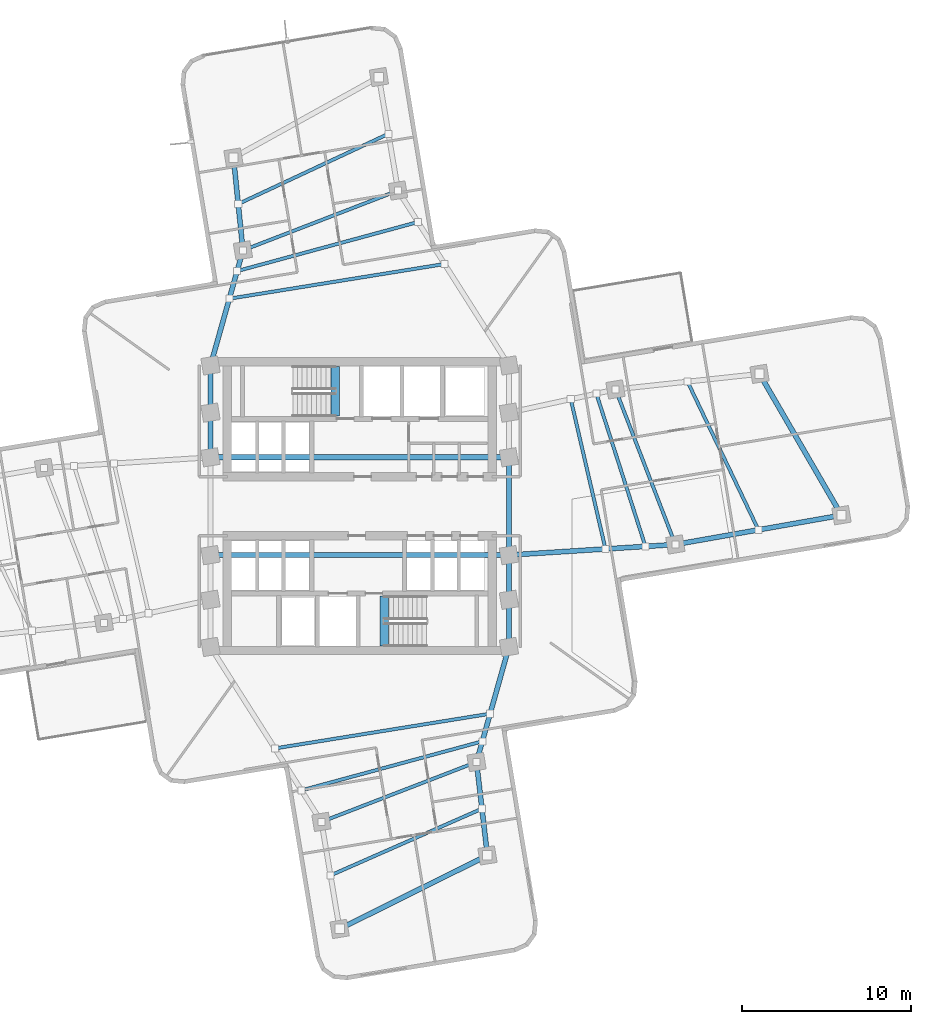
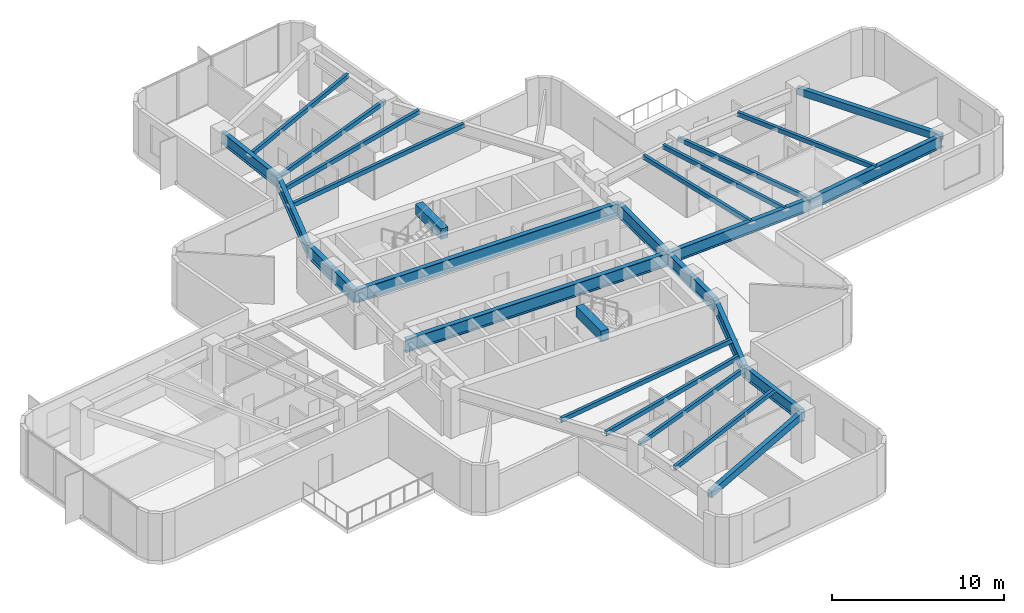
# One storey, part 3 of 13: 29 beams.
"""IFC4 building model written with IfcOpenShell, lengths in metres."""

from ifc_helpers import new_model, si_unit, direction, frame, origin, origin_2d, place, context, subcontext, project, spatial, rectangle, hollow_rectangle, i_section, extrude, material, material_profile, profile_set, type_object, element, save


model = new_model("IFC4")

# Units and contexts
model_context = context("Model", 3, precision=1e-05, world=origin(), true_north=direction((0.0, 1.0)))
body_context = subcontext(model_context, "Body", "Model", "MODEL_VIEW")
ifc_project = project(units=[si_unit("LENGTHUNIT", "METRE"), si_unit("AREAUNIT", "SQUARE_METRE"), si_unit("VOLUMEUNIT", "CUBIC_METRE"), si_unit("PLANEANGLEUNIT", "RADIAN"), si_unit("MASSUNIT", "GRAM", prefix="KILO")], contexts=[model_context])

# Site, building, storey
site_placement = place(None, origin())
site = spatial("IfcSite", under=ifc_project, at=site_placement, CompositionType="ELEMENT")
building_placement = place(site_placement, origin())
building = spatial("IfcBuilding", under=site, at=building_placement, Name="Solmarez Civic Tower", CompositionType="ELEMENT")
storey_placement = place(building_placement, frame((0.0, 0.0, 96.47998046875)))
storey = spatial("IfcBuildingStorey", under=building, at=storey_placement, Name="L25", CompositionType="ELEMENT", Elevation=96.47998046875)

# Beams
ifc_material_1 = material(Name="Steel S355", Category="steel")
ifc_material_profile_1 = material_profile(ifc_material_1, hollow_rectangle(XDim=0.199951171875, YDim=0.300048828125, WallThickness=0.011962890625, at=origin_2d()), Name="HSS300X200X12")
ifc_profile_set_1 = profile_set([ifc_material_profile_1], Name="Steel S355")
beam_type_1 = type_object("IfcBeamType", Name="BM-JS-HSS300X200", PredefinedType="JOIST", material=ifc_profile_set_1)
beam_1_placement = place(storey_placement, frame((18.72412109375, -2.27099609375, 3.18994140625), z_axis=(-0.359984466214, 0.932958297077, 0.0), x_axis=(-0.932958297077, -0.359984466214, 0.0)))
element("IfcBeam", 1, at=beam_1_placement, inside=storey, type_object=beam_type_1, Name="L25 Secondary Floor Joist BM-L25-EA-T1", PredefinedType="JOIST", context=body_context, shape_type="SweptSolid", body=[
    extrude(hollow_rectangle(XDim=0.199951171875, YDim=0.300048828125, WallThickness=0.011962890625, at=origin_2d()), origin(), (0.0, 0.0, 1.0), 9.85888671875),
])
beam_2_placement = place(storey_placement, frame((23.64990234375, -1.402099609375, 3.18994140625), z_axis=(-0.431491843414, 0.902116837814, 0.0), x_axis=(-0.902116837814, -0.431491843414, 0.0)))
element("IfcBeam", 2, at=beam_2_placement, inside=storey, type_object=beam_type_1, Name="L25 Secondary Floor Joist JS-L25-EA-M2", PredefinedType="JOIST", context=body_context, shape_type="SweptSolid", body=[
    extrude(hollow_rectangle(XDim=0.199951171875, YDim=0.300048828125, WallThickness=0.011962890625, at=origin_2d()), origin(), (0.0, 0.0, 1.0), 9.744873046875),
])
beam_3_placement = place(storey_placement, frame((14.576904296875, -2.534912109375, 3.18994140625), z_axis=(-0.225762717226, 0.974182321494, 0.0), x_axis=(-0.974182321494, -0.225762717226, 0.0)))
element("IfcBeam", 3, at=beam_3_placement, inside=storey, type_object=beam_type_1, Name="L25 Secondary Floor Joist JS-L25-EA-M11", PredefinedType="JOIST", context=body_context, shape_type="SweptSolid", body=[
    extrude(hollow_rectangle(XDim=0.199951171875, YDim=0.300048828125, WallThickness=0.011962890625, at=origin_2d()), origin(), (0.0, 0.0, 1.0), 9.119384765625),
])
beam_4_placement = place(storey_placement, frame((16.947021484375, -2.384033203125, 3.18994140625), z_axis=(-0.305705295997, 0.952126184914, 0.0), x_axis=(-0.952126184914, -0.305705295997, 0.0)))
element("IfcBeam", 4, at=beam_4_placement, inside=storey, type_object=beam_type_1, Name="L25 Secondary Floor Joist JS-L25-EA-M12", PredefinedType="JOIST", context=body_context, shape_type="SweptSolid", body=[
    extrude(hollow_rectangle(XDim=0.199951171875, YDim=0.300048828125, WallThickness=0.011962890625, at=origin_2d()), origin(), (0.0, 0.0, 1.0), 9.518798828125),
])
beam_5_placement = place(storey_placement, frame((2.27099609375, 18.72412109375, 3.18994140625), z_axis=(-0.932958297077, -0.359984466214, 0.0), x_axis=(0.359984466214, -0.932958297077, 0.0)))
element("IfcBeam", 5, at=beam_5_placement, inside=storey, type_object=beam_type_1, Name="L25 Secondary Floor Joist BM-L25-NA-T1", PredefinedType="JOIST", context=body_context, shape_type="SweptSolid", body=[
    extrude(hollow_rectangle(XDim=0.199951171875, YDim=0.300048828125, WallThickness=0.011962890625, at=origin_2d()), origin(), (0.0, 0.0, 1.0), 9.85888671875),
])
beam_6_placement = place(storey_placement, frame((1.705078125, 22.090087890625, 3.18994140625), z_axis=(-0.906041066986, -0.423189774138, 0.0), x_axis=(0.423189774138, -0.906041066986, 0.0)))
element("IfcBeam", 6, at=beam_6_placement, inside=storey, type_object=beam_type_1, Name="L25 Secondary Floor Joist JS-L25-NA-M2", PredefinedType="JOIST", context=body_context, shape_type="SweptSolid", body=[
    extrude(hollow_rectangle(XDim=0.199951171875, YDim=0.300048828125, WallThickness=0.011962890625, at=origin_2d()), origin(), (0.0, 0.0, 1.0), 9.83740234375),
])
beam_7_placement = place(storey_placement, frame((5.033935546875, 14.366943359375, 3.18994140625), z_axis=(-0.987261309887, -0.159107215423, 0.0), x_axis=(0.159107215423, -0.987261309887, 0.0)))
element("IfcBeam", 7, at=beam_7_placement, inside=storey, type_object=beam_type_1, Name="L25 Secondary Floor Joist JS-L25-NA-M11", PredefinedType="JOIST", context=body_context, shape_type="SweptSolid", body=[
    extrude(hollow_rectangle(XDim=0.199951171875, YDim=0.300048828125, WallThickness=0.011962890625, at=origin_2d()), origin(), (0.0, 0.0, 1.0), 12.933837890625),
])
beam_8_placement = place(storey_placement, frame((3.455078125, 16.85693359375, 3.18994140625), z_axis=(-0.965126314795, -0.261784637614, 0.0), x_axis=(0.261784637614, -0.965126314795, 0.0)))
element("IfcBeam", 8, at=beam_8_placement, inside=storey, type_object=beam_type_1, Name="L25 Secondary Floor Joist JS-L25-NA-M12", PredefinedType="JOIST", context=body_context, shape_type="SweptSolid", body=[
    extrude(hollow_rectangle(XDim=0.199951171875, YDim=0.300048828125, WallThickness=0.011962890625, at=origin_2d()), origin(), (0.0, 0.0, 1.0), 11.11572265625),
])
beam_9_placement = place(storey_placement, frame((-2.27099609375, -18.72412109375, 3.18994140625), z_axis=(0.932958297077, 0.359984466214, 0.0), x_axis=(-0.359984466214, 0.932958297077, 0.0)))
element("IfcBeam", 9, at=beam_9_placement, inside=storey, type_object=beam_type_1, Name="L25 Secondary Floor Joist BM-L25-SA-T1", PredefinedType="JOIST", context=body_context, shape_type="SweptSolid", body=[
    extrude(hollow_rectangle(XDim=0.199951171875, YDim=0.300048828125, WallThickness=0.011962890625, at=origin_2d()), origin(), (0.0, 0.0, 1.0), 9.85888671875),
])
beam_10_placement = place(storey_placement, frame((-1.73291015625, -21.89892578125, 3.18994140625), z_axis=(0.915226616427, 0.402939499905, 0.0), x_axis=(-0.402939499905, 0.915226616427, 0.0)))
element("IfcBeam", 10, at=beam_10_placement, inside=storey, type_object=beam_type_1, Name="L25 Secondary Floor Joist JS-L25-SA-M2", PredefinedType="JOIST", context=body_context, shape_type="SweptSolid", body=[
    extrude(hollow_rectangle(XDim=0.199951171875, YDim=0.300048828125, WallThickness=0.011962890625, at=origin_2d()), origin(), (0.0, 0.0, 1.0), 9.81494140625),
])
beam_11_placement = place(storey_placement, frame((-5.033935546875, -14.366943359375, 3.18994140625), z_axis=(0.987261309887, 0.159107215423, 0.0), x_axis=(-0.159107215423, 0.987261309887, 0.0)))
element("IfcBeam", 11, at=beam_11_placement, inside=storey, type_object=beam_type_1, Name="L25 Secondary Floor Joist JS-L25-SA-M11", PredefinedType="JOIST", context=body_context, shape_type="SweptSolid", body=[
    extrude(hollow_rectangle(XDim=0.199951171875, YDim=0.300048828125, WallThickness=0.011962890625, at=origin_2d()), origin(), (0.0, 0.0, 1.0), 12.933837890625),
])
beam_12_placement = place(storey_placement, frame((-3.455078125, -16.85693359375, 3.18994140625), z_axis=(0.965126314795, 0.261784637614, 0.0), x_axis=(-0.261784637614, 0.965126314795, 0.0)))
element("IfcBeam", 12, at=beam_12_placement, inside=storey, type_object=beam_type_1, Name="L25 Secondary Floor Joist JS-L25-SA-M12", PredefinedType="JOIST", context=body_context, shape_type="SweptSolid", body=[
    extrude(hollow_rectangle(XDim=0.199951171875, YDim=0.300048828125, WallThickness=0.011962890625, at=origin_2d()), origin(), (0.0, 0.0, 1.0), 11.11572265625),
])
ifc_material_2 = material(Name="Concrete C50/60", Category="concrete")
ifc_material_profile_2 = material_profile(ifc_material_2, rectangle(XDim=0.5, YDim=0.75, at=origin_2d()), Name="RC500X750")
ifc_profile_set_2 = profile_set([ifc_material_profile_2], Name="Concrete C50/60")
beam_type_2 = type_object("IfcBeamType", Name="BM-PR-RC500X750", PredefinedType="BEAM", material=ifc_profile_set_2)
for number, where, z_axis, x_axis, name in (
    (13, (-1.449951171875, 5.340087890625, 3.23291015625), (0.0, 1.0, 0.0), (-1.0, 0.0, 0.0), "L25 North Stair Threshold Beam"),
    (14, (1.449951171875, -8.300048828125, 3.23291015625), (0.0, 1.0, 0.0), (-1.0, 0.0, 0.0), "L25 South Stair Threshold Beam"),
):
    element("IfcBeam", number, at=place(storey_placement, frame(where, z_axis=z_axis, x_axis=x_axis)), inside=storey, type_object=beam_type_2, Name=name, PredefinedType="BEAM", context=body_context, shape_type="SweptSolid", body=[
        extrude(rectangle(XDim=0.5, YDim=0.75, at=origin_2d()), origin(), (0.0, 0.0, 1.0), 2.9599609375),
    ])
ifc_material_profile_3 = material_profile(ifc_material_1, i_section(OverallWidth=0.2919921875, OverallDepth=0.845947265625, WebThickness=0.015380859375, FlangeThickness=0.0244140625, at=origin_2d()), Name="W33X141")
ifc_profile_set_3 = profile_set([ifc_material_profile_3], Name="Steel S355")
beam_type_3 = type_object("IfcBeamType", Name="BM-PR-W33X141", PredefinedType="BEAM", material=ifc_profile_set_3)
beam_13_placement = place(storey_placement, frame((8.85009765625, -2.89990234375, 2.9169921875), z_axis=(0.997977751208, 0.063564204508, 0.0), x_axis=(-0.063564204508, 0.997977751208, 0.0)))
element("IfcBeam", 15, at=beam_13_placement, inside=storey, type_object=beam_type_3, Name="L25 Primary Floor Beam BM-L25-EA-R1A", PredefinedType="BEAM", context=body_context, shape_type="SweptSolid", body=[
    extrude(i_section(OverallWidth=0.2919921875, OverallDepth=0.845947265625, WebThickness=0.015380859375, FlangeThickness=0.0244140625, at=origin_2d()), origin(), (0.0, 0.0, 1.0), 9.89404296875),
])
beam_14_placement = place(storey_placement, frame((18.72412109375, -2.27099609375, 2.9169921875), z_axis=(0.984792402105, 0.173735214497, 0.0), x_axis=(-0.173735214497, 0.984792402105, 0.0)))
element("IfcBeam", 16, at=beam_14_placement, inside=storey, type_object=beam_type_3, Name="L25 Primary Floor Beam BM-L25-EA-R2A", PredefinedType="BEAM", context=body_context, shape_type="SweptSolid", body=[
    extrude(i_section(OverallWidth=0.2919921875, OverallDepth=0.845947265625, WebThickness=0.015380859375, FlangeThickness=0.0244140625, at=origin_2d()), origin(), (0.0, 0.0, 1.0), 10.00390625),
])
beam_15_placement = place(storey_placement, frame((-8.85009765625, 8.35009765625, 2.9169921875), z_axis=(0.271213183726, 0.962519303169, 0.0), x_axis=(-0.962519303169, 0.271213183726, 0.0)))
element("IfcBeam", 17, at=beam_15_placement, inside=storey, type_object=beam_type_3, Name="L25 Primary Floor Beam BM-L25-NA-R1B", PredefinedType="BEAM", context=body_context, shape_type="SweptSolid", body=[
    extrude(i_section(OverallWidth=0.2919921875, OverallDepth=0.845947265625, WebThickness=0.015380859375, FlangeThickness=0.0244140625, at=origin_2d()), origin(), (0.0, 0.0, 1.0), 7.0908203125),
])
beam_16_placement = place(storey_placement, frame((-6.927001953125, 15.175048828125, 2.9169921875), z_axis=(-0.101583208843, 0.994827046115, 0.0), x_axis=(-0.994827046115, -0.101583208843, 0.0)))
element("IfcBeam", 18, at=beam_16_placement, inside=storey, type_object=beam_type_3, Name="L25 Primary Floor Beam BM-L25-NA-R2B", PredefinedType="BEAM", context=body_context, shape_type="SweptSolid", body=[
    extrude(i_section(OverallWidth=0.2919921875, OverallDepth=0.845947265625, WebThickness=0.015380859375, FlangeThickness=0.0244140625, at=origin_2d()), origin(), (0.0, 0.0, 1.0), 5.532470703125),
])
beam_17_placement = place(storey_placement, frame((8.85009765625, -8.35009765625, 2.9169921875), z_axis=(-0.271213183726, -0.962519303169, 0.0), x_axis=(0.962519303169, -0.271213183726, 0.0)))
element("IfcBeam", 19, at=beam_17_placement, inside=storey, type_object=beam_type_3, Name="L25 Primary Floor Beam BM-L25-SA-R1B", PredefinedType="BEAM", context=body_context, shape_type="SweptSolid", body=[
    extrude(i_section(OverallWidth=0.2919921875, OverallDepth=0.845947265625, WebThickness=0.015380859375, FlangeThickness=0.0244140625, at=origin_2d()), origin(), (0.0, 0.0, 1.0), 7.0908203125),
])
beam_18_placement = place(storey_placement, frame((6.927001953125, -15.175048828125, 2.9169921875), z_axis=(0.11601314993, -0.993247677593, 0.0), x_axis=(0.993247677593, 0.11601314993, 0.0)))
element("IfcBeam", 20, at=beam_18_placement, inside=storey, type_object=beam_type_3, Name="L25 Primary Floor Beam BM-L25-SA-R2B", PredefinedType="BEAM", context=body_context, shape_type="SweptSolid", body=[
    extrude(i_section(OverallWidth=0.2919921875, OverallDepth=0.845947265625, WebThickness=0.015380859375, FlangeThickness=0.0244140625, at=origin_2d()), origin(), (0.0, 0.0, 1.0), 5.57666015625),
])
ifc_material_profile_4 = material_profile(ifc_material_1, i_section(OverallWidth=0.306884765625, OverallDepth=0.927001953125, WebThickness=0.019287109375, FlangeThickness=0.031982421875, at=origin_2d()), Name="W36X194")
ifc_profile_set_4 = profile_set([ifc_material_profile_4], Name="Steel S355")
beam_type_4 = type_object("IfcBeamType", Name="BM-PR-W36X194", PredefinedType="BEAM", material=ifc_profile_set_4)
beam_19_placement = place(storey_placement, frame((-8.85009765625, 2.89990234375, 2.8759765625), z_axis=(0.0, 1.0, 0.0), x_axis=(-1.0, 0.0, 0.0)))
element("IfcBeam", 21, at=beam_19_placement, inside=storey, type_object=beam_type_4, Name="L25 Primary Floor Beam BM-L25-HC3-HC4", PredefinedType="BEAM", context=body_context, shape_type="SweptSolid", body=[
    extrude(i_section(OverallWidth=0.306884765625, OverallDepth=0.927001953125, WebThickness=0.019287109375, FlangeThickness=0.031982421875, at=origin_2d()), origin(), (0.0, 0.0, 1.0), 2.650146484375),
])
for number, where, z_axis, x_axis, name in (
    (22, (-8.85009765625, 5.550048828125, 2.8759765625), (0.0, 1.0, 0.0), (-1.0, 0.0, 0.0), "L25 Primary Floor Beam BM-L25-HC4-HC9"),
    (23, (8.85009765625, -8.35009765625, 2.8759765625), (0.0, 1.0, 0.0), (-1.0, 0.0, 0.0), "L25 Primary Floor Beam BM-L25-HC10-HC5"),
):
    element("IfcBeam", number, at=place(storey_placement, frame(where, z_axis=z_axis, x_axis=x_axis)), inside=storey, type_object=beam_type_4, Name=name, PredefinedType="BEAM", context=body_context, shape_type="SweptSolid", body=[
        extrude(i_section(OverallWidth=0.306884765625, OverallDepth=0.927001953125, WebThickness=0.019287109375, FlangeThickness=0.031982421875, at=origin_2d()), origin(), (0.0, 0.0, 1.0), 2.800048828125),
    ])
beam_20_placement = place(storey_placement, frame((8.85009765625, -5.550048828125, 2.8759765625), z_axis=(0.0, 1.0, 0.0), x_axis=(-1.0, 0.0, 0.0)))
element("IfcBeam", 24, at=beam_20_placement, inside=storey, type_object=beam_type_4, Name="L25 Primary Floor Beam BM-L25-HC5-HC6", PredefinedType="BEAM", context=body_context, shape_type="SweptSolid", body=[
    extrude(i_section(OverallWidth=0.306884765625, OverallDepth=0.927001953125, WebThickness=0.019287109375, FlangeThickness=0.031982421875, at=origin_2d()), origin(), (0.0, 0.0, 1.0), 2.650146484375),
])
beam_21_placement = place(storey_placement, frame((8.85009765625, -2.89990234375, 2.8759765625), z_axis=(0.0, 1.0, 0.0), x_axis=(-1.0, 0.0, 0.0)))
element("IfcBeam", 25, at=beam_21_placement, inside=storey, type_object=beam_type_4, Name="L25 Primary Floor Beam BM-L25-HC6-HC7", PredefinedType="BEAM", context=body_context, shape_type="SweptSolid", body=[
    extrude(i_section(OverallWidth=0.306884765625, OverallDepth=0.927001953125, WebThickness=0.019287109375, FlangeThickness=0.031982421875, at=origin_2d()), origin(), (0.0, 0.0, 1.0), 5.7998046875),
])
for number, where, z_axis, x_axis, name in (
    (26, (-8.85009765625, -2.89990234375, 2.8759765625), (1.0, 0.0, 0.0), (0.0, 1.0, 0.0), "L25 Primary Floor Beam BM-L25-HC2-HC6"),
    (27, (-8.85009765625, 2.89990234375, 2.8759765625), (1.0, 0.0, 0.0), (0.0, 1.0, 0.0), "L25 Primary Floor Beam BM-L25-HC3-HC7"),
):
    element("IfcBeam", number, at=place(storey_placement, frame(where, z_axis=z_axis, x_axis=x_axis)), inside=storey, type_object=beam_type_4, Name=name, PredefinedType="BEAM", context=body_context, shape_type="SweptSolid", body=[
        extrude(i_section(OverallWidth=0.306884765625, OverallDepth=0.927001953125, WebThickness=0.019287109375, FlangeThickness=0.031982421875, at=origin_2d()), origin(), (0.0, 0.0, 1.0), 17.7001953125),
    ])
ifc_material_profile_5 = material_profile(ifc_material_1, hollow_rectangle(XDim=0.300048828125, YDim=0.5, WallThickness=0.02001953125, at=origin_2d()), Name="HSS500X300X20")
ifc_profile_set_5 = profile_set([ifc_material_profile_5], Name="Steel S355")
beam_type_5 = type_object("IfcBeamType", Name="BM-SP-HSS500X300", PredefinedType="SPANDREL", material=ifc_profile_set_5)
beam_22_placement = place(storey_placement, frame((28.575927734375, -0.532958984375, 3.090087890625), z_axis=(-0.501571424933, 0.865116238254, 0.0), x_axis=(-0.865116238254, -0.501571424933, 0.0)))
element("IfcBeam", 28, at=beam_22_placement, inside=storey, type_object=beam_type_5, Name="L25 Perimeter Spandrel Beam BM-L25-EA-T2", PredefinedType="SPANDREL", context=body_context, shape_type="SweptSolid", body=[
    extrude(hollow_rectangle(XDim=0.300048828125, YDim=0.5, WallThickness=0.02001953125, at=origin_2d()), origin(), (0.0, 0.0, 1.0), 9.691162109375),
])
beam_23_placement = place(storey_placement, frame((-1.195068359375, -25.073974609375, 3.090087890625), z_axis=(0.895432090654, 0.445198125589, 0.0), x_axis=(-0.445198125589, 0.895432090654, 0.0)))
element("IfcBeam", 29, at=beam_23_placement, inside=storey, type_object=beam_type_5, Name="L25 Perimeter Spandrel Beam BM-L25-SA-T2", PredefinedType="SPANDREL", context=body_context, shape_type="SweptSolid", body=[
    extrude(hollow_rectangle(XDim=0.300048828125, YDim=0.5, WallThickness=0.02001953125, at=origin_2d()), origin(), (0.0, 0.0, 1.0), 9.79296875),
])

save(model, "model.ifc")
